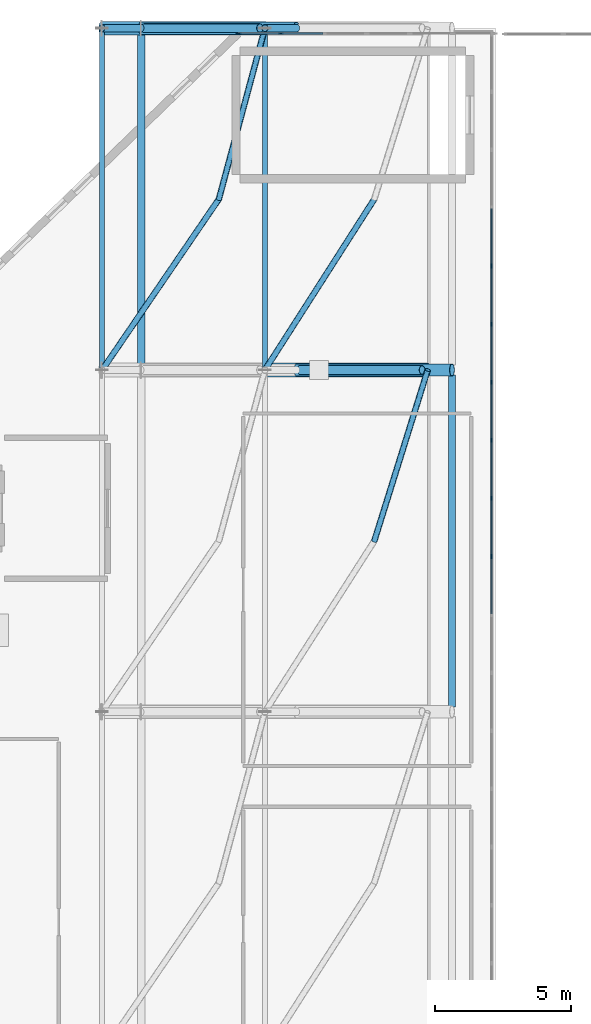
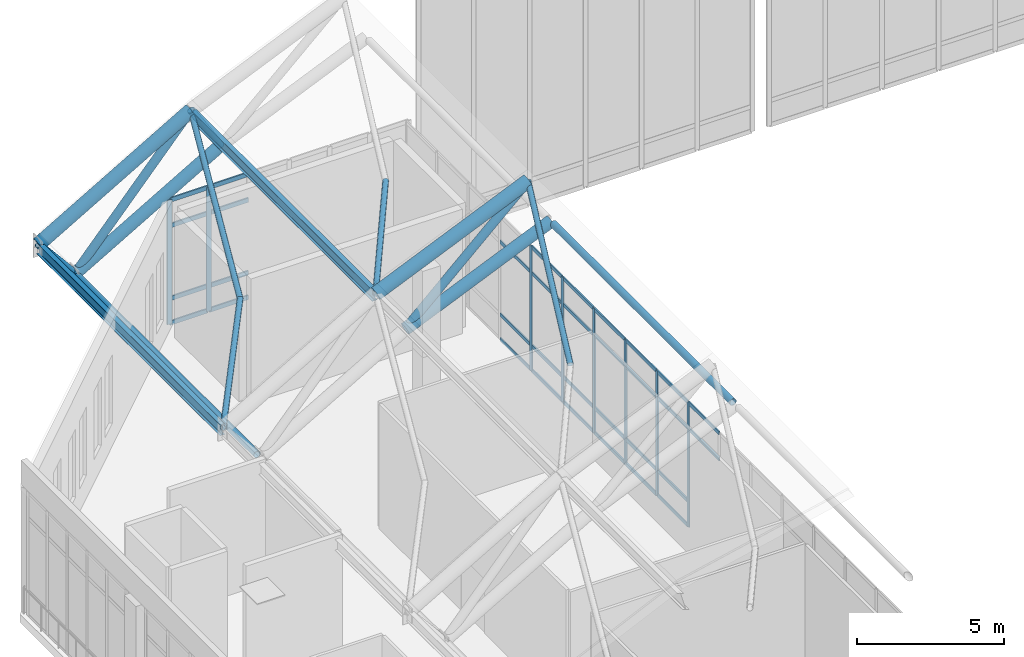
# One storey, part 17 of 42: 57 members, 2 elements without a shape of their own.
"""IFC4 building model written with IfcOpenShell, lengths in metres."""

import ifcopenshell
import ifcopenshell.guid

model = None  # the IFC model being written
_history = None  # IfcOwnerHistory: only IFC2X3 demands one
_inside = {}  # id of a spatial element -> (the spatial element, [elements in it])
_under = {}  # id of a project, library or spatial element -> (it, [spatial elements below it])
_declared = {}  # id of a project -> (the project, [libraries it declares])
_typed = {}  # id of a type object -> (the type object, [elements of that type])
_made_of = {}  # id of a material, layer set ... -> (it, [elements and type objects made of it])


def new_model(schema):
    """Start an empty IFC model of exactly this schema.

    Asked for "IFC4X3", IfcOpenShell would pick the latest addendum, in which some entities
    have other attributes; the version numbers below select the first issue.
    IFC2X3 requires an IfcOwnerHistory on every rooted entity: one is made here for all.
    """
    global model, _history
    if schema == "IFC4X3":
        model = ifcopenshell.file(schema_version=(4, 3, 0, 0))
    else:
        model = ifcopenshell.file(schema=schema)
    _inside.clear()
    _under.clear()
    _declared.clear()
    _typed.clear()
    _made_of.clear()
    _history = None
    if model.schema == "IFC2X3":
        org = make("IfcOrganization", Name="unknown")
        user = make(
            "IfcPersonAndOrganization",
            ThePerson=make("IfcPerson", FamilyName="unknown"),
            TheOrganization=org,
        )
        app = make(
            "IfcApplication",
            ApplicationDeveloper=org,
            Version="unknown",
            ApplicationFullName="unknown",
            ApplicationIdentifier="unknown",
        )
        _history = make(
            "IfcOwnerHistory",
            OwningUser=user,
            OwningApplication=app,
            ChangeAction="ADDED",
            CreationDate=0,
        )
    return model


def make(cls, **values):
    """One entity of the class cls with the attributes given. An attribute that is None is left unset."""
    return model.create_entity(
        cls, **{name: value for name, value in values.items() if value is not None}
    )


def rooted(cls, **values):
    """An entity with a GlobalId (a new one), such as an element, a storey or a relation."""
    return make(cls, GlobalId=ifcopenshell.guid.new(), OwnerHistory=_history, **values)


def si_unit(unit_type, name, prefix=None):
    """IfcSIUnit, for example si_unit("LENGTHUNIT", "METRE", prefix="MILLI")."""
    return make("IfcSIUnit", UnitType=unit_type, Prefix=prefix, Name=name)


def derived_unit(unit_type, elements):
    """IfcDerivedUnit: a product of units, each with its exponent."""
    return make(
        "IfcDerivedUnit",
        Elements=[
            make("IfcDerivedUnitElement", Unit=unit, Exponent=power)
            for unit, power in elements
        ],
        UnitType=unit_type,
    )


def assignment(units):
    """IfcUnitAssignment: the units of a project."""
    return None if units is None else make("IfcUnitAssignment", Units=units)


def point(xyz):
    """IfcCartesianPoint."""
    return None if xyz is None else make("IfcCartesianPoint", Coordinates=xyz)


def direction(xyz):
    """IfcDirection."""
    return None if xyz is None else make("IfcDirection", DirectionRatios=xyz)


def frame(location, z_axis=None, x_axis=None):
    """IfcAxis2Placement3D, a coordinate frame: its origin and axes. An axis left out is left unset."""
    return make(
        "IfcAxis2Placement3D",
        Location=point(location),
        Axis=direction(z_axis),
        RefDirection=direction(x_axis),
    )


def frame_2d(location, x_axis=None):
    """IfcAxis2Placement2D, a coordinate frame in the plane: its origin and x axis."""
    return make(
        "IfcAxis2Placement2D", Location=point(location), RefDirection=direction(x_axis)
    )


def origin():
    """The frame at (0, 0, 0) with its axes left unset."""
    return frame((0.0, 0.0, 0.0))


def origin_2d():
    """The frame at (0, 0) in the plane with its x axis left unset."""
    return frame_2d((0.0, 0.0))


def place(relative_to, where):
    """IfcLocalPlacement: puts the frame where relative to a parent placement (None: the world)."""
    return make(
        "IfcLocalPlacement", PlacementRelTo=relative_to, RelativePlacement=where
    )


def context(
    kind, dimensions, precision=None, world=None, true_north=None, identifier=None
):
    """IfcGeometricRepresentationContext, for example the 3D "Model" context."""
    return make(
        "IfcGeometricRepresentationContext",
        ContextIdentifier=identifier,
        ContextType=kind,
        CoordinateSpaceDimension=dimensions,
        Precision=precision,
        WorldCoordinateSystem=world,
        TrueNorth=true_north,
    )


def subcontext(parent, identifier, kind, view, scale=None):
    """IfcGeometricRepresentationSubContext, for example "Body" below "Model"."""
    return make(
        "IfcGeometricRepresentationSubContext",
        ContextIdentifier=identifier,
        ContextType=kind,
        ParentContext=parent,
        TargetScale=scale,
        TargetView=view,
    )


def project(units=None, contexts=None):
    """IfcProject with its units and contexts."""
    return rooted(
        "IfcProject",
        Name="project",
        RepresentationContexts=contexts,
        UnitsInContext=assignment(units),
    )


def spatial(cls, under=None, at=None, **own):
    """A site, building, storey or space (cls), placed at a placement, below another one or the project."""
    s = rooted(cls, ObjectPlacement=at, **own)
    if under is not None:
        _under.setdefault(under.id(), (under, []))[1].append(s)
    return s


def profile(cls, at=None, kind="AREA", **sizes):
    """A parametric profile (cls). Its sizes go by their IFC names, for example OverallWidth=200.0."""
    return make(cls, ProfileType=kind, Position=at, **sizes)


def rectangle(**sizes):
    """IfcRectangleProfileDef."""
    return profile("IfcRectangleProfileDef", **sizes)


def hollow_circle(**sizes):
    """IfcCircleHollowProfileDef."""
    return profile("IfcCircleHollowProfileDef", **sizes)


def i_section(**sizes):
    """IfcIShapeProfileDef."""
    return profile("IfcIShapeProfileDef", **sizes)


def extrude(swept, where, along, depth):
    """IfcExtrudedAreaSolid: the profile swept, set in the frame where, extruded along a direction by depth."""
    return make(
        "IfcExtrudedAreaSolid",
        SweptArea=swept,
        Position=where,
        ExtrudedDirection=direction(along),
        Depth=depth,
    )


def shape(context_of_items, identifier, shape_type, items):
    """IfcShapeRepresentation: the items that make up one representation, for example the "Body"."""
    return make(
        "IfcShapeRepresentation",
        ContextOfItems=context_of_items,
        RepresentationIdentifier=identifier,
        RepresentationType=shape_type,
        Items=items,
    )


def material(Name=None, Category=None):
    """IfcMaterial."""
    return make("IfcMaterial", Name=Name, Category=Category)


def layer(
    of_material, thickness, ventilated=None, Name=None, Category=None, Priority=None
):
    """IfcMaterialLayer: one layer of a wall or slab, of a material (None: an air gap)."""
    return make(
        "IfcMaterialLayer",
        Material=of_material,
        LayerThickness=thickness,
        IsVentilated=ventilated,
        Name=Name,
        Category=Category,
        Priority=Priority,
    )


def layer_set(layers, Name=None):
    """IfcMaterialLayerSet."""
    return make("IfcMaterialLayerSet", MaterialLayers=layers, LayerSetName=Name)


def material_profile(
    of_material, cross_section, Name=None, Category=None, Priority=None
):
    """IfcMaterialProfile: a cross section and its material."""
    return make(
        "IfcMaterialProfile",
        Name=Name,
        Material=of_material,
        Profile=cross_section,
        Priority=Priority,
        Category=Category,
    )


def profile_set(profiles, Name=None, composite=None):
    """IfcMaterialProfileSet."""
    return make(
        "IfcMaterialProfileSet",
        Name=Name,
        MaterialProfiles=profiles,
        CompositeProfile=composite,
    )


def made_of(thing, what):
    """Note that an element or type object is made of a material, layer set ...; save() writes the relation."""
    if what is not None:
        _made_of.setdefault(what.id(), (what, []))[1].append(thing)
    return thing


def type_object(cls, material=None, **own):
    """A type object (cls), such as IfcWallType, which elements share."""
    return made_of(rooted(cls, **own), material)


def element(
    cls,
    number,
    at=None,
    inside=None,
    cuts=None,
    type_object=None,
    material=None,
    context=None,
    identifier="Body",
    shape_type=None,
    held_by="IfcProductDefinitionShape",
    body=None,
    shapes=None,
    **own,
):
    """One element of the class cls, such as IfcWall. Its Tag is "e" and its number.

    at: its placement. inside: the storey or other place that contains it. cuts: it is an
    opening in that element (IfcRelVoidsElement). A single representation is given by context,
    identifier, shape_type and body (its items); several are given by shapes. held_by: the class
    of the entity that holds the representations. save() writes the other relations.
    """
    e = rooted(cls, Tag="e%d" % number, ObjectPlacement=at, **own)
    if body is not None:
        shapes = [shape(context, identifier, shape_type, body)]
    if shapes is not None:
        e.Representation = make(held_by, Representations=shapes)
    if inside is not None:
        _inside.setdefault(inside.id(), (inside, []))[1].append(e)
    if cuts is not None:
        rooted(
            "IfcRelVoidsElement", RelatingBuildingElement=cuts, RelatedOpeningElement=e
        )
    if type_object is not None:
        _typed.setdefault(type_object.id(), (type_object, []))[1].append(e)
    return made_of(e, material)


def aggregate(whole, parts):
    """IfcRelAggregates: a whole, such as a stair, and the parts it consists of."""
    return rooted("IfcRelAggregates", RelatingObject=whole, RelatedObjects=parts)


def save(model, path):
    """Write the relations noted so far, then the file.

    IfcRelAggregates (storeys below a building ...), IfcRelContainedInSpatialStructure (elements
    in a storey), IfcRelDefinesByType, IfcRelAssociatesMaterial and IfcRelDeclares: one each for
    every whole, place, type object, material and project.
    """
    for whole, parts in _under.values():
        aggregate(whole, parts)
    for where, things in _inside.values():
        rooted(
            "IfcRelContainedInSpatialStructure",
            RelatedElements=things,
            RelatingStructure=where,
        )
    for kind, things in _typed.values():
        rooted("IfcRelDefinesByType", RelatedObjects=things, RelatingType=kind)
    for what, things in _made_of.values():
        rooted("IfcRelAssociatesMaterial", RelatedObjects=things, RelatingMaterial=what)
    for by, libraries in _declared.values():
        rooted("IfcRelDeclares", RelatingContext=by, RelatedDefinitions=libraries)
    model.write(path)


model = new_model("IFC4")

# Units and contexts
model_context = context("Model", 3, precision=1e-05, world=origin(), true_north=direction((0.0, 1.0)))
body_context = subcontext(model_context, "Body", "Model", "MODEL_VIEW")
ifc_project = project(units=[si_unit("LENGTHUNIT", "METRE"), si_unit("AREAUNIT", "SQUARE_METRE"), si_unit("VOLUMEUNIT", "CUBIC_METRE"), si_unit("PLANEANGLEUNIT", "RADIAN"), si_unit("MASSUNIT", "GRAM", prefix="KILO"), derived_unit("THERMALTRANSMITTANCEUNIT", [(si_unit("MASSUNIT", "GRAM", prefix="KILO"), 1), (si_unit("TIMEUNIT", "SECOND"), -3), (si_unit("THERMODYNAMICTEMPERATUREUNIT", "KELVIN"), -1)])], contexts=[model_context])

# Site, building, storey
site_placement = place(None, origin())
site = spatial("IfcSite", under=ifc_project, at=site_placement, CompositionType="ELEMENT")
building_placement = place(site_placement, origin())
building = spatial("IfcBuilding", under=site, at=building_placement, Name="Valcora Ridge Arena", CompositionType="ELEMENT")
storey_placement = place(building_placement, frame((0.0, 0.0, 26.39990234375)))
storey = spatial("IfcBuildingStorey", under=building, at=storey_placement, Name="L05", CompositionType="ELEMENT", Elevation=26.39990234375)

# Curtain wall, members
ifc_material_1 = material(Name="Anodised dark bronze architectural aluminium 6063-T6", Category="aluminium")
ifc_layer_1 = layer(ifc_material_1, 0.14990234375, Name="Anodised dark bronze architectural aluminium 6063-T6")
ifc_layer_set_1 = layer_set([ifc_layer_1], Name="Anodised dark bronze architectural aluminium 6063-T6")
curtain_wall_type_1 = type_object("IfcCurtainWallType", Name="TY-CURTAINWALL-CW-V1-SKY-878X52", PredefinedType="NOTDEFINED", material=ifc_layer_set_1)
curtain_wall_1_placement = place(storey_placement, origin())
curtain_wall_1 = element("IfcCurtainWall", 1, at=curtain_wall_1_placement, inside=storey, type_object=curtain_wall_type_1, Name="CW-V1-SKY-878X52 CW-0171", PredefinedType="NOTDEFINED")
ifc_material_profile_1 = material_profile(ifc_material_1, rectangle(XDim=0.050048828125, YDim=0.14990234375, at=origin_2d()), Name="ALU MULLION 50x150")
ifc_profile_set_1 = profile_set([ifc_material_profile_1], Name="Anodised dark bronze architectural aluminium 6063-T6")
member_type_1 = type_object("IfcMemberType", Name="TY-MEM-CWM-50x150", PredefinedType="MULLION", material=ifc_profile_set_1)
member_1_placement = place(storey_placement, frame((38.35009765625, 88.726806640625, 0.0), z_axis=(0.0, 0.0, 1.0), x_axis=(-1.0, 0.0, 0.0)))
member_1 = element("IfcMember", 2, at=member_1_placement, type_object=member_type_1, Name="CW-0171/CWM-50x150/M32", PredefinedType="MULLION", context=body_context, shape_type="SweptSolid", body=[
    extrude(rectangle(XDim=0.050048828125, YDim=0.14990234375, at=origin_2d()), origin(), (0.0, 0.0, 1.0), 5.18017578125),
])
member_2_placement = place(storey_placement, frame((38.35009765625, 90.868408203125, 0.0), z_axis=(0.0, 0.0, 1.0), x_axis=(-1.0, 0.0, 0.0)))
member_2 = element("IfcMember", 3, at=member_2_placement, type_object=member_type_1, Name="CW-0171/CWM-50x150/M33", PredefinedType="MULLION", context=body_context, shape_type="SweptSolid", body=[
    extrude(rectangle(XDim=0.050048828125, YDim=0.14990234375, at=origin_2d()), origin(), (0.0, 0.0, 1.0), 5.18017578125),
])
member_3_placement = place(storey_placement, frame((38.35009765625, 93.009765625, 0.0), z_axis=(0.0, 0.0, 1.0), x_axis=(-1.0, 0.0, 0.0)))
member_3 = element("IfcMember", 4, at=member_3_placement, type_object=member_type_1, Name="CW-0171/CWM-50x150/M34", PredefinedType="MULLION", context=body_context, shape_type="SweptSolid", body=[
    extrude(rectangle(XDim=0.050048828125, YDim=0.14990234375, at=origin_2d()), origin(), (0.0, 0.0, 1.0), 5.18017578125),
])
member_4_placement = place(storey_placement, frame((38.35009765625, 95.151123046875, 0.0), z_axis=(0.0, 0.0, 1.0), x_axis=(-1.0, 0.0, 0.0)))
member_4 = element("IfcMember", 5, at=member_4_placement, type_object=member_type_1, Name="CW-0171/CWM-50x150/M35", PredefinedType="MULLION", context=body_context, shape_type="SweptSolid", body=[
    extrude(rectangle(XDim=0.050048828125, YDim=0.14990234375, at=origin_2d()), origin(), (0.0, 0.0, 1.0), 5.18017578125),
])
member_5_placement = place(storey_placement, frame((38.35009765625, 97.292724609375, 0.0), z_axis=(0.0, 0.0, 1.0), x_axis=(-1.0, 0.0, 0.0)))
member_5 = element("IfcMember", 6, at=member_5_placement, type_object=member_type_1, Name="CW-0171/CWM-50x150/M36", PredefinedType="MULLION", context=body_context, shape_type="SweptSolid", body=[
    extrude(rectangle(XDim=0.050048828125, YDim=0.14990234375, at=origin_2d()), origin(), (0.0, 0.0, 1.0), 5.18017578125),
])
member_6_placement = place(storey_placement, frame((38.35009765625, 99.43408203125, 0.0), z_axis=(0.0, 0.0, 1.0), x_axis=(-1.0, 0.0, 0.0)))
member_6 = element("IfcMember", 7, at=member_6_placement, type_object=member_type_1, Name="CW-0171/CWM-50x150/M37", PredefinedType="MULLION", context=body_context, shape_type="SweptSolid", body=[
    extrude(rectangle(XDim=0.050048828125, YDim=0.14990234375, at=origin_2d()), origin(), (0.0, 0.0, 1.0), 5.18017578125),
])

ifc_layer_2 = layer(ifc_material_1, 0.179931640625, Name="Anodised dark bronze architectural aluminium 6063-T6")
ifc_layer_set_2 = layer_set([ifc_layer_2], Name="Anodised dark bronze architectural aluminium 6063-T6")
curtain_wall_type_2 = type_object("IfcCurtainWallType", Name="TY-CURTAINWALL-CW-V1-GOTH-095X52", PredefinedType="NOTDEFINED", material=ifc_layer_set_2)
curtain_wall_2_placement = place(storey_placement, origin())
curtain_wall_2 = element("IfcCurtainWall", 8, at=curtain_wall_2_placement, inside=storey, type_object=curtain_wall_type_2, Name="CW-V1-GOTH-095X52 CW-0170", PredefinedType="NOTDEFINED")
ifc_material_profile_2 = material_profile(ifc_material_1, rectangle(XDim=0.06005859375, YDim=0.179931640625, at=origin_2d()), Name="ALU MULLION 60x180")
ifc_profile_set_2 = profile_set([ifc_material_profile_2], Name="Anodised dark bronze architectural aluminium 6063-T6")
member_type_2 = type_object("IfcMemberType", Name="TY-MEM-CWM-60x180", PredefinedType="MULLION", material=ifc_profile_set_2)
member_7_placement = place(storey_placement, frame((29.030029296875, 108.0, 0.0), z_axis=(0.0, 0.0, 1.0), x_axis=(0.0, 1.0, 0.0)))
member_7 = element("IfcMember", 9, at=member_7_placement, type_object=member_type_2, Name="CW-0170/CWM-60x180/M00", PredefinedType="MULLION", context=body_context, shape_type="SweptSolid", body=[
    extrude(rectangle(XDim=0.06005859375, YDim=0.179931640625, at=origin_2d()), origin(), (0.0, 0.0, 1.0), 5.18017578125),
])
member_8_placement = place(storey_placement, frame((30.583251953125, 108.0, 0.0), z_axis=(0.0, 0.0, 1.0), x_axis=(0.0, 1.0, 0.0)))
member_8 = element("IfcMember", 10, at=member_8_placement, type_object=member_type_2, Name="CW-0170/CWM-60x180/M01", PredefinedType="MULLION", context=body_context, shape_type="SweptSolid", body=[
    extrude(rectangle(XDim=0.06005859375, YDim=0.179931640625, at=origin_2d()), origin(), (0.0, 0.0, 1.0), 5.18017578125),
])

# Member
ifc_material_profile_3 = material_profile(ifc_material_1, rectangle(XDim=0.050048828125, YDim=0.14990234375, at=origin_2d()), Name="ALU TRANSOM 50x150")
ifc_profile_set_3 = profile_set([ifc_material_profile_3], Name="Anodised dark bronze architectural aluminium 6063-T6")
member_type_3 = type_object("IfcMemberType", Name="TY-MEM-CWT-50x150", PredefinedType="USERDEFINED", material=ifc_profile_set_3)
member_9_placement = place(storey_placement, frame((38.35009765625, 86.610107421875, 4.080078125), z_axis=(0.0, 1.0, 0.0), x_axis=(-1.0, 0.0, 0.0)))
member_9 = element("IfcMember", 11, at=member_9_placement, type_object=member_type_3, Name="CW-0171/CWT-50x150/T31-02", ObjectType="TRANSOM", PredefinedType="USERDEFINED", context=body_context, shape_type="SweptSolid", body=[
    extrude(rectangle(XDim=0.050048828125, YDim=0.14990234375, at=origin_2d()), origin(), (0.0, 0.0, 1.0), 2.091796875),
])

member_10_placement = place(storey_placement, frame((38.35009765625, 86.610107421875, 5.155029296875), z_axis=(0.0, 1.0, 0.0), x_axis=(-1.0, 0.0, 0.0)))
member_10 = element("IfcMember", 12, at=member_10_placement, type_object=member_type_3, Name="CW-0171/CWT-50x150/T31-03", ObjectType="TRANSOM", PredefinedType="USERDEFINED", context=body_context, shape_type="SweptSolid", body=[
    extrude(rectangle(XDim=0.050048828125, YDim=0.14990234375, at=origin_2d()), origin(), (0.0, 0.0, 1.0), 2.091796875),
])

member_11_placement = place(storey_placement, frame((38.35009765625, 88.751953125, 0.025146484375), z_axis=(0.0, 1.0, 0.0), x_axis=(-1.0, 0.0, 0.0)))
member_11 = element("IfcMember", 13, at=member_11_placement, type_object=member_type_3, Name="CW-0171/CWT-50x150/T32-00", ObjectType="TRANSOM", PredefinedType="USERDEFINED", context=body_context, shape_type="SweptSolid", body=[
    extrude(rectangle(XDim=0.050048828125, YDim=0.14990234375, at=origin_2d()), origin(), (0.0, 0.0, 1.0), 2.091064453125),
])

member_12_placement = place(storey_placement, frame((38.35009765625, 88.751953125, 1.050048828125), z_axis=(0.0, 1.0, 0.0), x_axis=(-1.0, 0.0, 0.0)))
member_12 = element("IfcMember", 14, at=member_12_placement, type_object=member_type_3, Name="CW-0171/CWT-50x150/T32-01", ObjectType="TRANSOM", PredefinedType="USERDEFINED", context=body_context, shape_type="SweptSolid", body=[
    extrude(rectangle(XDim=0.050048828125, YDim=0.14990234375, at=origin_2d()), origin(), (0.0, 0.0, 1.0), 2.091064453125),
])

member_13_placement = place(storey_placement, frame((38.35009765625, 88.751953125, 4.080078125), z_axis=(0.0, 1.0, 0.0), x_axis=(-1.0, 0.0, 0.0)))
member_13 = element("IfcMember", 15, at=member_13_placement, type_object=member_type_3, Name="CW-0171/CWT-50x150/T32-02", ObjectType="TRANSOM", PredefinedType="USERDEFINED", context=body_context, shape_type="SweptSolid", body=[
    extrude(rectangle(XDim=0.050048828125, YDim=0.14990234375, at=origin_2d()), origin(), (0.0, 0.0, 1.0), 2.091064453125),
])

member_14_placement = place(storey_placement, frame((38.35009765625, 88.751953125, 5.155029296875), z_axis=(0.0, 1.0, 0.0), x_axis=(-1.0, 0.0, 0.0)))
member_14 = element("IfcMember", 16, at=member_14_placement, type_object=member_type_3, Name="CW-0171/CWT-50x150/T32-03", ObjectType="TRANSOM", PredefinedType="USERDEFINED", context=body_context, shape_type="SweptSolid", body=[
    extrude(rectangle(XDim=0.050048828125, YDim=0.14990234375, at=origin_2d()), origin(), (0.0, 0.0, 1.0), 2.091064453125),
])

member_15_placement = place(storey_placement, frame((38.35009765625, 90.89306640625, 0.025146484375), z_axis=(0.0, 1.0, 0.0), x_axis=(-1.0, 0.0, 0.0)))
member_15 = element("IfcMember", 17, at=member_15_placement, type_object=member_type_3, Name="CW-0171/CWT-50x150/T33-00", ObjectType="TRANSOM", PredefinedType="USERDEFINED", context=body_context, shape_type="SweptSolid", body=[
    extrude(rectangle(XDim=0.050048828125, YDim=0.14990234375, at=origin_2d()), origin(), (0.0, 0.0, 1.0), 2.092041015625),
])

member_16_placement = place(storey_placement, frame((38.35009765625, 90.89306640625, 1.050048828125), z_axis=(0.0, 1.0, 0.0), x_axis=(-1.0, 0.0, 0.0)))
member_16 = element("IfcMember", 18, at=member_16_placement, type_object=member_type_3, Name="CW-0171/CWT-50x150/T33-01", ObjectType="TRANSOM", PredefinedType="USERDEFINED", context=body_context, shape_type="SweptSolid", body=[
    extrude(rectangle(XDim=0.050048828125, YDim=0.14990234375, at=origin_2d()), origin(), (0.0, 0.0, 1.0), 2.092041015625),
])

member_17_placement = place(storey_placement, frame((38.35009765625, 90.89306640625, 4.080078125), z_axis=(0.0, 1.0, 0.0), x_axis=(-1.0, 0.0, 0.0)))
member_17 = element("IfcMember", 19, at=member_17_placement, type_object=member_type_3, Name="CW-0171/CWT-50x150/T33-02", ObjectType="TRANSOM", PredefinedType="USERDEFINED", context=body_context, shape_type="SweptSolid", body=[
    extrude(rectangle(XDim=0.050048828125, YDim=0.14990234375, at=origin_2d()), origin(), (0.0, 0.0, 1.0), 2.092041015625),
])

member_18_placement = place(storey_placement, frame((38.35009765625, 90.89306640625, 5.155029296875), z_axis=(0.0, 1.0, 0.0), x_axis=(-1.0, 0.0, 0.0)))
member_18 = element("IfcMember", 20, at=member_18_placement, type_object=member_type_3, Name="CW-0171/CWT-50x150/T33-03", ObjectType="TRANSOM", PredefinedType="USERDEFINED", context=body_context, shape_type="SweptSolid", body=[
    extrude(rectangle(XDim=0.050048828125, YDim=0.14990234375, at=origin_2d()), origin(), (0.0, 0.0, 1.0), 2.092041015625),
])

member_19_placement = place(storey_placement, frame((38.35009765625, 93.034912109375, 0.025146484375), z_axis=(0.0, 1.0, 0.0), x_axis=(-1.0, 0.0, 0.0)))
member_19 = element("IfcMember", 21, at=member_19_placement, type_object=member_type_3, Name="CW-0171/CWT-50x150/T34-00", ObjectType="TRANSOM", PredefinedType="USERDEFINED", context=body_context, shape_type="SweptSolid", body=[
    extrude(rectangle(XDim=0.050048828125, YDim=0.14990234375, at=origin_2d()), origin(), (0.0, 0.0, 1.0), 2.091064453125),
])

member_20_placement = place(storey_placement, frame((38.35009765625, 93.034912109375, 1.050048828125), z_axis=(0.0, 1.0, 0.0), x_axis=(-1.0, 0.0, 0.0)))
member_20 = element("IfcMember", 22, at=member_20_placement, type_object=member_type_3, Name="CW-0171/CWT-50x150/T34-01", ObjectType="TRANSOM", PredefinedType="USERDEFINED", context=body_context, shape_type="SweptSolid", body=[
    extrude(rectangle(XDim=0.050048828125, YDim=0.14990234375, at=origin_2d()), origin(), (0.0, 0.0, 1.0), 2.091064453125),
])

member_21_placement = place(storey_placement, frame((38.35009765625, 93.034912109375, 4.080078125), z_axis=(0.0, 1.0, 0.0), x_axis=(-1.0, 0.0, 0.0)))
member_21 = element("IfcMember", 23, at=member_21_placement, type_object=member_type_3, Name="CW-0171/CWT-50x150/T34-02", ObjectType="TRANSOM", PredefinedType="USERDEFINED", context=body_context, shape_type="SweptSolid", body=[
    extrude(rectangle(XDim=0.050048828125, YDim=0.14990234375, at=origin_2d()), origin(), (0.0, 0.0, 1.0), 2.091064453125),
])

member_22_placement = place(storey_placement, frame((38.35009765625, 93.034912109375, 5.155029296875), z_axis=(0.0, 1.0, 0.0), x_axis=(-1.0, 0.0, 0.0)))
member_22 = element("IfcMember", 24, at=member_22_placement, type_object=member_type_3, Name="CW-0171/CWT-50x150/T34-03", ObjectType="TRANSOM", PredefinedType="USERDEFINED", context=body_context, shape_type="SweptSolid", body=[
    extrude(rectangle(XDim=0.050048828125, YDim=0.14990234375, at=origin_2d()), origin(), (0.0, 0.0, 1.0), 2.091064453125),
])

member_23_placement = place(storey_placement, frame((38.35009765625, 95.176025390625, 0.025146484375), z_axis=(0.0, 1.0, 0.0), x_axis=(-1.0, 0.0, 0.0)))
member_23 = element("IfcMember", 25, at=member_23_placement, type_object=member_type_3, Name="CW-0171/CWT-50x150/T35-00", ObjectType="TRANSOM", PredefinedType="USERDEFINED", context=body_context, shape_type="SweptSolid", body=[
    extrude(rectangle(XDim=0.050048828125, YDim=0.14990234375, at=origin_2d()), origin(), (0.0, 0.0, 1.0), 2.092041015625),
])

member_24_placement = place(storey_placement, frame((38.35009765625, 95.176025390625, 1.050048828125), z_axis=(0.0, 1.0, 0.0), x_axis=(-1.0, 0.0, 0.0)))
member_24 = element("IfcMember", 26, at=member_24_placement, type_object=member_type_3, Name="CW-0171/CWT-50x150/T35-01", ObjectType="TRANSOM", PredefinedType="USERDEFINED", context=body_context, shape_type="SweptSolid", body=[
    extrude(rectangle(XDim=0.050048828125, YDim=0.14990234375, at=origin_2d()), origin(), (0.0, 0.0, 1.0), 2.092041015625),
])

member_25_placement = place(storey_placement, frame((38.35009765625, 95.176025390625, 4.080078125), z_axis=(0.0, 1.0, 0.0), x_axis=(-1.0, 0.0, 0.0)))
member_25 = element("IfcMember", 27, at=member_25_placement, type_object=member_type_3, Name="CW-0171/CWT-50x150/T35-02", ObjectType="TRANSOM", PredefinedType="USERDEFINED", context=body_context, shape_type="SweptSolid", body=[
    extrude(rectangle(XDim=0.050048828125, YDim=0.14990234375, at=origin_2d()), origin(), (0.0, 0.0, 1.0), 2.092041015625),
])

member_26_placement = place(storey_placement, frame((38.35009765625, 95.176025390625, 5.155029296875), z_axis=(0.0, 1.0, 0.0), x_axis=(-1.0, 0.0, 0.0)))
member_26 = element("IfcMember", 28, at=member_26_placement, type_object=member_type_3, Name="CW-0171/CWT-50x150/T35-03", ObjectType="TRANSOM", PredefinedType="USERDEFINED", context=body_context, shape_type="SweptSolid", body=[
    extrude(rectangle(XDim=0.050048828125, YDim=0.14990234375, at=origin_2d()), origin(), (0.0, 0.0, 1.0), 2.092041015625),
])

member_27_placement = place(storey_placement, frame((38.35009765625, 97.318115234375, 0.025146484375), z_axis=(0.0, 1.0, 0.0), x_axis=(-1.0, 0.0, 0.0)))
member_27 = element("IfcMember", 29, at=member_27_placement, type_object=member_type_3, Name="CW-0171/CWT-50x150/T36-00", ObjectType="TRANSOM", PredefinedType="USERDEFINED", context=body_context, shape_type="SweptSolid", body=[
    extrude(rectangle(XDim=0.050048828125, YDim=0.14990234375, at=origin_2d()), origin(), (0.0, 0.0, 1.0), 2.0908203125),
])

member_28_placement = place(storey_placement, frame((38.35009765625, 97.318115234375, 1.050048828125), z_axis=(0.0, 1.0, 0.0), x_axis=(-1.0, 0.0, 0.0)))
member_28 = element("IfcMember", 30, at=member_28_placement, type_object=member_type_3, Name="CW-0171/CWT-50x150/T36-01", ObjectType="TRANSOM", PredefinedType="USERDEFINED", context=body_context, shape_type="SweptSolid", body=[
    extrude(rectangle(XDim=0.050048828125, YDim=0.14990234375, at=origin_2d()), origin(), (0.0, 0.0, 1.0), 2.0908203125),
])

member_29_placement = place(storey_placement, frame((38.35009765625, 97.318115234375, 4.080078125), z_axis=(0.0, 1.0, 0.0), x_axis=(-1.0, 0.0, 0.0)))
member_29 = element("IfcMember", 31, at=member_29_placement, type_object=member_type_3, Name="CW-0171/CWT-50x150/T36-02", ObjectType="TRANSOM", PredefinedType="USERDEFINED", context=body_context, shape_type="SweptSolid", body=[
    extrude(rectangle(XDim=0.050048828125, YDim=0.14990234375, at=origin_2d()), origin(), (0.0, 0.0, 1.0), 2.0908203125),
])

member_30_placement = place(storey_placement, frame((38.35009765625, 97.318115234375, 5.155029296875), z_axis=(0.0, 1.0, 0.0), x_axis=(-1.0, 0.0, 0.0)))
member_30 = element("IfcMember", 32, at=member_30_placement, type_object=member_type_3, Name="CW-0171/CWT-50x150/T36-03", ObjectType="TRANSOM", PredefinedType="USERDEFINED", context=body_context, shape_type="SweptSolid", body=[
    extrude(rectangle(XDim=0.050048828125, YDim=0.14990234375, at=origin_2d()), origin(), (0.0, 0.0, 1.0), 2.0908203125),
])

member_31_placement = place(storey_placement, frame((38.35009765625, 99.458984375, 0.025146484375), z_axis=(0.0, 1.0, 0.0), x_axis=(-1.0, 0.0, 0.0)))
member_31 = element("IfcMember", 33, at=member_31_placement, type_object=member_type_3, Name="CW-0171/CWT-50x150/T37-00", ObjectType="TRANSOM", PredefinedType="USERDEFINED", context=body_context, shape_type="SweptSolid", body=[
    extrude(rectangle(XDim=0.050048828125, YDim=0.14990234375, at=origin_2d()), origin(), (0.0, 0.0, 1.0), 2.092041015625),
])

member_32_placement = place(storey_placement, frame((38.35009765625, 99.458984375, 1.050048828125), z_axis=(0.0, 1.0, 0.0), x_axis=(-1.0, 0.0, 0.0)))
member_32 = element("IfcMember", 34, at=member_32_placement, type_object=member_type_3, Name="CW-0171/CWT-50x150/T37-01", ObjectType="TRANSOM", PredefinedType="USERDEFINED", context=body_context, shape_type="SweptSolid", body=[
    extrude(rectangle(XDim=0.050048828125, YDim=0.14990234375, at=origin_2d()), origin(), (0.0, 0.0, 1.0), 2.092041015625),
])

member_33_placement = place(storey_placement, frame((38.35009765625, 99.458984375, 4.080078125), z_axis=(0.0, 1.0, 0.0), x_axis=(-1.0, 0.0, 0.0)))
member_33 = element("IfcMember", 35, at=member_33_placement, type_object=member_type_3, Name="CW-0171/CWT-50x150/T37-02", ObjectType="TRANSOM", PredefinedType="USERDEFINED", context=body_context, shape_type="SweptSolid", body=[
    extrude(rectangle(XDim=0.050048828125, YDim=0.14990234375, at=origin_2d()), origin(), (0.0, 0.0, 1.0), 2.092041015625),
])

aggregate(curtain_wall_1, [member_1, member_2, member_3, member_4, member_5, member_6, member_9, member_10, member_11, member_12, member_13, member_14, member_15, member_16, member_17, member_18, member_19, member_20, member_21, member_22, member_23, member_24, member_25, member_26, member_27, member_28, member_29, member_30, member_31, member_32, member_33])

ifc_material_profile_4 = material_profile(ifc_material_1, rectangle(XDim=0.06005859375, YDim=0.179931640625, at=origin_2d()), Name="ALU TRANSOM 60x180")
ifc_profile_set_4 = profile_set([ifc_material_profile_4], Name="Anodised dark bronze architectural aluminium 6063-T6")
member_type_4 = type_object("IfcMemberType", Name="TY-MEM-CWT-60x180", PredefinedType="USERDEFINED", material=ifc_profile_set_4)
member_34_placement = place(storey_placement, frame((29.06005859375, 108.0, 0.030029296875), z_axis=(1.0, 0.0, 0.0), x_axis=(0.0, 1.0, 0.0)))
member_34 = element("IfcMember", 36, at=member_34_placement, type_object=member_type_4, Name="CW-0170/CWT-60x180/T00-00", ObjectType="TRANSOM", PredefinedType="USERDEFINED", context=body_context, shape_type="SweptSolid", body=[
    extrude(rectangle(XDim=0.06005859375, YDim=0.179931640625, at=origin_2d()), origin(), (0.0, 0.0, 1.0), 1.492919921875),
])

member_35_placement = place(storey_placement, frame((29.06005859375, 108.0, 1.050048828125), z_axis=(1.0, 0.0, 0.0), x_axis=(0.0, 1.0, 0.0)))
member_35 = element("IfcMember", 37, at=member_35_placement, type_object=member_type_4, Name="CW-0170/CWT-60x180/T00-01", ObjectType="TRANSOM", PredefinedType="USERDEFINED", context=body_context, shape_type="SweptSolid", body=[
    extrude(rectangle(XDim=0.06005859375, YDim=0.179931640625, at=origin_2d()), origin(), (0.0, 0.0, 1.0), 1.492919921875),
])

member_36_placement = place(storey_placement, frame((29.06005859375, 108.0, 4.080078125), z_axis=(1.0, 0.0, 0.0), x_axis=(0.0, 1.0, 0.0)))
member_36 = element("IfcMember", 38, at=member_36_placement, type_object=member_type_4, Name="CW-0170/CWT-60x180/T00-02", ObjectType="TRANSOM", PredefinedType="USERDEFINED", context=body_context, shape_type="SweptSolid", body=[
    extrude(rectangle(XDim=0.06005859375, YDim=0.179931640625, at=origin_2d()), origin(), (0.0, 0.0, 1.0), 1.492919921875),
])

member_37_placement = place(storey_placement, frame((29.06005859375, 108.0, 5.150146484375), z_axis=(1.0, 0.0, 0.0), x_axis=(0.0, 1.0, 0.0)))
member_37 = element("IfcMember", 39, at=member_37_placement, type_object=member_type_4, Name="CW-0170/CWT-60x180/T00-03", ObjectType="TRANSOM", PredefinedType="USERDEFINED", context=body_context, shape_type="SweptSolid", body=[
    extrude(rectangle(XDim=0.06005859375, YDim=0.179931640625, at=origin_2d()), origin(), (0.0, 0.0, 1.0), 1.492919921875),
])

member_38_placement = place(storey_placement, frame((30.613037109375, 108.0, 0.030029296875), z_axis=(1.0, 0.0, 0.0), x_axis=(0.0, 1.0, 0.0)))
member_38 = element("IfcMember", 40, at=member_38_placement, type_object=member_type_4, Name="CW-0170/CWT-60x180/T01-00", ObjectType="TRANSOM", PredefinedType="USERDEFINED", context=body_context, shape_type="SweptSolid", body=[
    extrude(rectangle(XDim=0.06005859375, YDim=0.179931640625, at=origin_2d()), origin(), (0.0, 0.0, 1.0), 1.52392578125),
])

member_39_placement = place(storey_placement, frame((30.613037109375, 108.0, 1.050048828125), z_axis=(1.0, 0.0, 0.0), x_axis=(0.0, 1.0, 0.0)))
member_39 = element("IfcMember", 41, at=member_39_placement, type_object=member_type_4, Name="CW-0170/CWT-60x180/T01-01", ObjectType="TRANSOM", PredefinedType="USERDEFINED", context=body_context, shape_type="SweptSolid", body=[
    extrude(rectangle(XDim=0.06005859375, YDim=0.179931640625, at=origin_2d()), origin(), (0.0, 0.0, 1.0), 1.52392578125),
])

member_40_placement = place(storey_placement, frame((30.613037109375, 108.0, 4.080078125), z_axis=(1.0, 0.0, 0.0), x_axis=(0.0, 1.0, 0.0)))
member_40 = element("IfcMember", 42, at=member_40_placement, type_object=member_type_4, Name="CW-0170/CWT-60x180/T01-02", ObjectType="TRANSOM", PredefinedType="USERDEFINED", context=body_context, shape_type="SweptSolid", body=[
    extrude(rectangle(XDim=0.06005859375, YDim=0.179931640625, at=origin_2d()), origin(), (0.0, 0.0, 1.0), 1.52392578125),
])

member_41_placement = place(storey_placement, frame((30.613037109375, 108.0, 5.150146484375), z_axis=(1.0, 0.0, 0.0), x_axis=(0.0, 1.0, 0.0)))
member_41 = element("IfcMember", 43, at=member_41_placement, type_object=member_type_4, Name="CW-0170/CWT-60x180/T01-03", ObjectType="TRANSOM", PredefinedType="USERDEFINED", context=body_context, shape_type="SweptSolid", body=[
    extrude(rectangle(XDim=0.06005859375, YDim=0.179931640625, at=origin_2d()), origin(), (0.0, 0.0, 1.0), 1.52392578125),
])

aggregate(curtain_wall_2, [member_7, member_8, member_34, member_35, member_36, member_37, member_38, member_39, member_40, member_41])

# Members
ifc_material_2 = material(Name="Steel ASTM A572 Grade 50", Category="steel")
ifc_material_profile_5 = material_profile(ifc_material_2, i_section(OverallWidth=0.18994140625, OverallDepth=0.45703125, WebThickness=0.009033203125, FlangeThickness=0.014404296875, FilletRadius=0.014892578125, at=origin_2d()), Name="W18X50")
ifc_profile_set_5 = profile_set([ifc_material_profile_5], Name="Steel ASTM A572 Grade 50")
member_type_5 = type_object("IfcMemberType", Name="TY-MEMBER-PUR-W18X50", PredefinedType="PURLIN", material=ifc_profile_set_5)
for number, where, z_axis, x_axis, name in (
    (44, (24.0, 95.64990234375, 4.845703125), (0.0, 1.0, 0.0), (-1.0, 0.0, 0.0), "PUR-W18X50 SF-PR-PUR-W18X50-0073"),
    (45, (30.0, 95.64990234375, 8.342529296875), (0.0, 1.0, 0.0), (-1.0, 0.0, 0.0), "PUR-W18X50 SF-PR-PUR-W18X50-0074"),
):
    element("IfcMember", number, at=place(storey_placement, frame(where, z_axis=z_axis, x_axis=x_axis)), inside=storey, type_object=member_type_5, Name=name, PredefinedType="PURLIN", context=body_context, shape_type="SweptSolid", body=[
        extrude(i_section(OverallWidth=0.18994140625, OverallDepth=0.45703125, WebThickness=0.009033203125, FlangeThickness=0.014404296875, FilletRadius=0.014892578125, at=origin_2d()), origin(), (0.0, 0.0, 1.0), 12.5),
    ])
ifc_material_3 = material(Name="Steel ASTM A500 Grade C", Category="steel")
ifc_material_profile_6 = material_profile(ifc_material_3, hollow_circle(Radius=0.228515625, WallThickness=0.01611328125, at=origin_2d()), Name="CHS457X16")
ifc_profile_set_6 = profile_set([ifc_material_profile_6], Name="Steel ASTM A500 Grade C")
member_type_6 = type_object("IfcMemberType", Name="TY-MEMBER-SFBC-457", PredefinedType="CHORD", material=ifc_profile_set_6)
member_42_placement = place(storey_placement, frame((31.1669921875, 95.60009765625, 6.558837890625), z_axis=(0.917672105435, 0.0, 0.397338529351), x_axis=(0.0, 1.0, 0.0)))
element("IfcMember", 46, at=member_42_placement, inside=storey, type_object=member_type_6, Name="SFBC-457 Space Frame Bottom Chord", PredefinedType="CHORD", context=body_context, shape_type="SweptSolid", body=[
    extrude(hollow_circle(Radius=0.228515625, WallThickness=0.01611328125, at=origin_2d()), origin(), (0.0, 0.0, 1.0), 6.24267578125),
])
member_43_placement = place(storey_placement, frame((25.438232421875, 108.199951171875, 3.234130859375), z_axis=(0.864898384633, 0.0, 0.501946993476), x_axis=(0.0, 1.0, 0.0)))
element("IfcMember", 47, at=member_43_placement, inside=storey, type_object=member_type_6, Name="SFBC-457 Space Frame Bottom Chord", PredefinedType="CHORD", context=body_context, shape_type="SweptSolid", body=[
    extrude(hollow_circle(Radius=0.228515625, WallThickness=0.01611328125, at=origin_2d()), origin(), (0.0, 0.0, 1.0), 6.62353515625),
])
ifc_material_profile_7 = material_profile(ifc_material_3, hollow_circle(Radius=0.136474609375, WallThickness=0.012451171875, at=origin_2d()), Name="CHS273X12")
ifc_profile_set_7 = profile_set([ifc_material_profile_7], Name="Steel ASTM A500 Grade C")
member_type_7 = type_object("IfcMemberType", Name="TY-MEMBER-SFBT-273", PredefinedType="STRUT", material=ifc_profile_set_7)
for number, where, z_axis, x_axis, name in (
    (48, (36.895751953125, 83.179931640625, 9.039306640625), (0.0, 1.0, 0.0), (-1.0, 0.0, 0.0), "SFBT-273 Space Frame Bottom Strut"),
    (49, (25.438232421875, 95.780029296875, 3.234130859375), (0.0, 1.0, 0.0), (-1.0, 0.0, 0.0), "SFBT-273 Space Frame Bottom Strut"),
):
    element("IfcMember", number, at=place(storey_placement, frame(where, z_axis=z_axis, x_axis=x_axis)), inside=storey, type_object=member_type_7, Name=name, PredefinedType="STRUT", context=body_context, shape_type="SweptSolid", body=[
        extrude(hollow_circle(Radius=0.136474609375, WallThickness=0.012451171875, at=origin_2d()), origin(), (0.0, 0.0, 1.0), 12.239990234375),
    ])
ifc_material_profile_8 = material_profile(ifc_material_3, hollow_circle(Radius=0.136474609375, WallThickness=0.012451171875, at=origin_2d()), Name="CHS273X12")
ifc_profile_set_8 = profile_set([ifc_material_profile_8], Name="Steel ASTM A500 Grade C")
member_type_8 = type_object("IfcMemberType", Name="TY-MEMBER-SFKP-273", PredefinedType="POST", material=ifc_profile_set_8)
member_44_placement = place(storey_placement, frame((25.438232421875, 108.199951171875, 3.234130859375), z_axis=(-0.642337596391, 0.0, 0.766421823974), x_axis=(0.0, -1.0, 0.0)))
element("IfcMember", 50, at=member_44_placement, inside=storey, type_object=member_type_8, Name="SFKP-273 Space Frame King Post", PredefinedType="POST", context=body_context, shape_type="SweptSolid", body=[
    extrude(hollow_circle(Radius=0.136474609375, WallThickness=0.012451171875, at=origin_2d()), origin(), (0.0, 0.0, 1.0), 2.239013671875),
])
member_45_placement = place(storey_placement, frame((31.1669921875, 108.199951171875, 6.558837890625), z_axis=(-0.528755468485, 0.0, 0.848774207047), x_axis=(0.0, -1.0, 0.0)))
element("IfcMember", 51, at=member_45_placement, inside=storey, type_object=member_type_8, Name="SFKP-273 Space Frame King Post", PredefinedType="POST", context=body_context, shape_type="SweptSolid", body=[
    extrude(hollow_circle(Radius=0.136474609375, WallThickness=0.012451171875, at=origin_2d()), origin(), (0.0, 0.0, 1.0), 2.20703125),
])
ifc_material_profile_9 = material_profile(ifc_material_3, hollow_circle(Radius=0.109619140625, WallThickness=0.010009765625, at=origin_2d()), Name="CHS219X10")
ifc_profile_set_9 = profile_set([ifc_material_profile_9], Name="Steel ASTM A500 Grade C")
member_type_9 = type_object("IfcMemberType", Name="TY-MEMBER-SFST-219", PredefinedType="STRUT", material=ifc_profile_set_9)
member_46_placement = place(storey_placement, frame((34.031494140625, 89.300048828125, 7.895751953125), z_axis=(0.26940738515, 0.862217235992, 0.428953492566), x_axis=(-0.95449116609, 0.298239189001, 0.0)))
element("IfcMember", 52, at=member_46_placement, inside=storey, type_object=member_type_9, Name="SFST-219 Space Frame Tie Strut", PredefinedType="STRUT", context=body_context, shape_type="SweptSolid", body=[
    extrude(hollow_circle(Radius=0.109619140625, WallThickness=0.010009765625, at=origin_2d()), origin(), (0.0, 0.0, 1.0), 7.306884765625),
])
member_47_placement = place(storey_placement, frame((28.302734375, 101.89990234375, 5.01220703125), z_axis=(-0.563981338488, -0.825747529411, -0.008128192236), x_axis=(0.825774808304, -0.563999969832, 0.0)))
element("IfcMember", 53, at=member_47_placement, inside=storey, type_object=member_type_9, Name="SFST-219 Space Frame Tie Strut", PredefinedType="STRUT", context=body_context, shape_type="SweptSolid", body=[
    extrude(hollow_circle(Radius=0.109619140625, WallThickness=0.010009765625, at=origin_2d()), origin(), (0.0, 0.0, 1.0), 7.629150390625),
])
member_48_placement = place(storey_placement, frame((28.302734375, 101.89990234375, 5.01220703125), z_axis=(0.230399293261, 0.855214868037, 0.464245296317), x_axis=(-0.965573476233, 0.260130471101, 0.0)))
element("IfcMember", 54, at=member_48_placement, inside=storey, type_object=member_type_9, Name="SFST-219 Space Frame Tie Strut", PredefinedType="STRUT", context=body_context, shape_type="SweptSolid", body=[
    extrude(hollow_circle(Radius=0.109619140625, WallThickness=0.010009765625, at=origin_2d()), origin(), (0.0, 0.0, 1.0), 7.36669921875),
])
member_49_placement = place(storey_placement, frame((34.031494140625, 101.89990234375, 7.895751953125), z_axis=(-0.53763681909, -0.840136890922, 0.071530799463), x_axis=(0.842294519769, -0.539017571111, 0.0)))
element("IfcMember", 55, at=member_49_placement, inside=storey, type_object=member_type_9, Name="SFST-219 Space Frame Tie Strut", PredefinedType="STRUT", context=body_context, shape_type="SweptSolid", body=[
    extrude(hollow_circle(Radius=0.109619140625, WallThickness=0.010009765625, at=origin_2d()), origin(), (0.0, 0.0, 1.0), 7.49853515625),
])
ifc_material_profile_10 = material_profile(ifc_material_3, hollow_circle(Radius=0.25390625, WallThickness=0.01611328125, at=origin_2d()), Name="CHS508X16")
ifc_profile_set_10 = profile_set([ifc_material_profile_10], Name="Steel ASTM A500 Grade C")
member_type_10 = type_object("IfcMemberType", Name="TY-MEMBER-SFTC-508", PredefinedType="CHORD", material=ifc_profile_set_10)
member_50_placement = place(storey_placement, frame((30.0, 95.60009765625, 8.43212890625), z_axis=(0.917672740792, 0.0, 0.397337061961), x_axis=(0.0, 1.0, 0.0)))
element("IfcMember", 56, at=member_50_placement, inside=storey, type_object=member_type_10, Name="SFTC-508 Space Frame Top Chord", PredefinedType="CHORD", context=body_context, shape_type="SweptSolid", body=[
    extrude(hollow_circle(Radius=0.25390625, WallThickness=0.01611328125, at=origin_2d()), origin(), (0.0, 0.0, 1.0), 6.538330078125),
])
member_51_placement = place(storey_placement, frame((24.0, 108.199951171875, 4.9501953125), z_axis=(0.864910194439, 0.0, 0.501926643599), x_axis=(0.0, 1.0, 0.0)))
element("IfcMember", 57, at=member_51_placement, inside=storey, type_object=member_type_10, Name="SFTC-508 Space Frame Top Chord", PredefinedType="CHORD", context=body_context, shape_type="SweptSolid", body=[
    extrude(hollow_circle(Radius=0.25390625, WallThickness=0.01611328125, at=origin_2d()), origin(), (0.0, 0.0, 1.0), 6.937255859375),
])
ifc_material_profile_11 = material_profile(ifc_material_3, hollow_circle(Radius=0.161865234375, WallThickness=0.012451171875, at=origin_2d()), Name="CHS323X12")
ifc_profile_set_11 = profile_set([ifc_material_profile_11], Name="Steel ASTM A500 Grade C")
member_type_11 = type_object("IfcMemberType", Name="TY-MEMBER-SFWB-323", PredefinedType="BRACE", material=ifc_profile_set_11)
member_52_placement = place(storey_placement, frame((31.284423828125, 95.60009765625, 6.66748046875), z_axis=(0.734030604976, 0.0, 0.679116389847), x_axis=(0.0, 1.0, 0.0)))
element("IfcMember", 58, at=member_52_placement, inside=storey, type_object=member_type_11, Name="SFWB-323 Space Frame Diagonal Brace", PredefinedType="BRACE", context=body_context, shape_type="SweptSolid", body=[
    extrude(hollow_circle(Radius=0.161865234375, WallThickness=0.012451171875, at=origin_2d()), origin(), (0.0, 0.0, 1.0), 6.144287109375),
])
member_53_placement = place(storey_placement, frame((25.543701171875, 108.199951171875, 3.3544921875), z_axis=(0.659614231512, 0.0, 0.751604327813), x_axis=(0.0, 1.0, 0.0)))
element("IfcMember", 59, at=member_53_placement, inside=storey, type_object=member_type_11, Name="SFWB-323 Space Frame Diagonal Brace", PredefinedType="BRACE", context=body_context, shape_type="SweptSolid", body=[
    extrude(hollow_circle(Radius=0.161865234375, WallThickness=0.012451171875, at=origin_2d()), origin(), (0.0, 0.0, 1.0), 6.475830078125),
])

save(model, "model.ifc")
